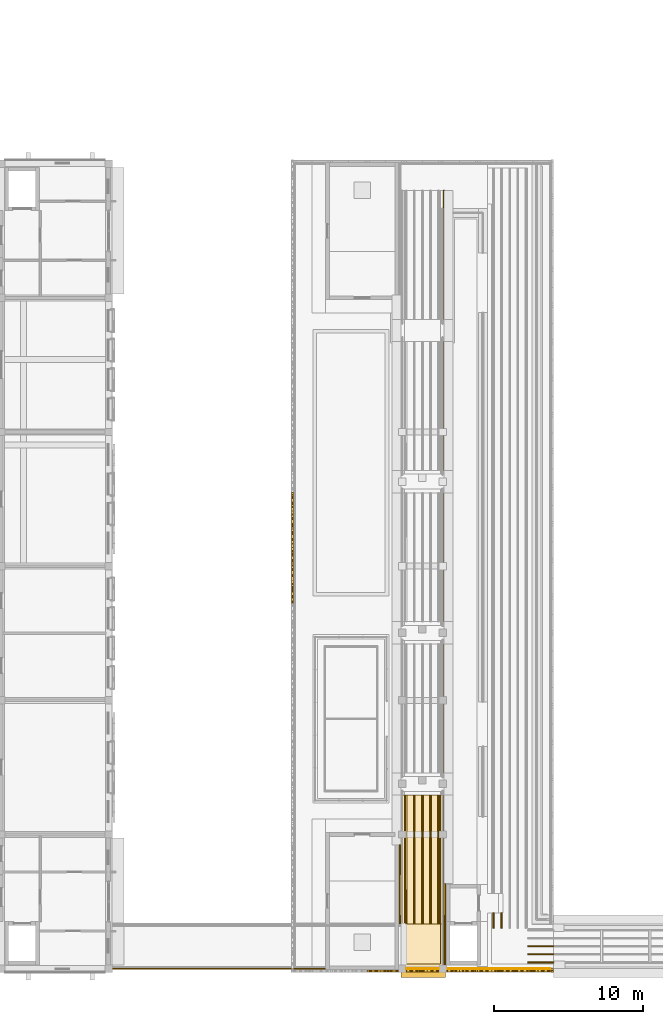
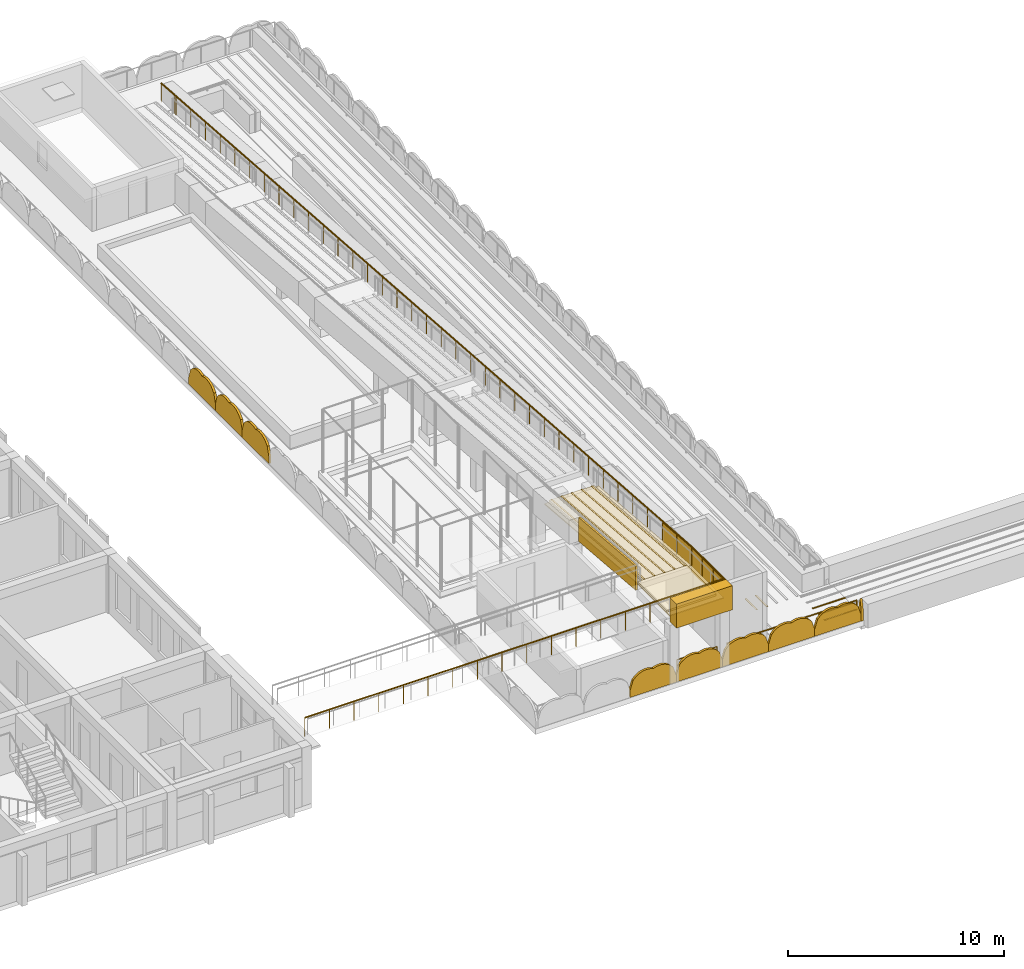
# One storey, part 45 of 50: 18 coverings, 9 shading devices, 3 railings.
"""IFC4 building model written with IfcOpenShell, lengths in metres."""

from ifc_helpers import new_model, si_unit, direction, frame, origin, origin_2d, place, context, subcontext, project, spatial, polyline, circle, outline, extrude, material, layer, layer_set, type_object, element, save


model = new_model("IFC4")

# Units and contexts
model_context = context("Model", 3, precision=1e-05, world=origin(), true_north=direction((0.0, 1.0)))
body_context = subcontext(model_context, "Body", "Model", "MODEL_VIEW")
ifc_project = project(units=[si_unit("LENGTHUNIT", "METRE"), si_unit("AREAUNIT", "SQUARE_METRE"), si_unit("VOLUMEUNIT", "CUBIC_METRE"), si_unit("PLANEANGLEUNIT", "RADIAN"), si_unit("MASSUNIT", "GRAM", prefix="KILO")], contexts=[model_context])

# Site, building, storey
site_placement = place(None, origin())
site = spatial("IfcSite", under=ifc_project, at=site_placement, CompositionType="ELEMENT")
building_placement = place(site_placement, origin())
building = spatial("IfcBuilding", under=site, at=building_placement, Name="Elbe Cascade School", CompositionType="ELEMENT")
storey_placement = place(building_placement, frame((0.0, 0.0, 15.300048828125)))
storey = spatial("IfcBuildingStorey", under=building, at=storey_placement, Name="L04", CompositionType="ELEMENT", Elevation=15.300048828125)

# Shading devices
ifc_material_1 = material(Name="Precast concrete C40/50", Category="concrete")
ifc_layer_1 = layer(ifc_material_1, 0.1201171875)
ifc_layer_set_1 = layer_set([ifc_layer_1], Name="Precast concrete C40/50")
shading_device_type = type_object("IfcShadingDeviceType", Name="Bars envelope Attic jali screen, pointed arch top, pierced precast concrete, 1200 high", PredefinedType="USERDEFINED", material=ifc_layer_set_1)
shading_device_1_placement = place(storey_placement, frame((98.3798828125, 30.522705078125, 0.39990234375), z_axis=(-1.0, 0.0, 0.0), x_axis=(0.0, 0.296914729778, 0.954903996871)))
element("IfcShadingDevice", 1, at=shading_device_1_placement, inside=storey, type_object=shading_device_type, Name="Attic jali screen SD1 B.L04.w11", ObjectType="JALI", PredefinedType="USERDEFINED", context=body_context, shape_type="SweptSolid", body=[
    extrude(outline(polyline([(0.0, 0.0), (0.5213118135497831, 2.7755575615628914e-17), (0.7310001580840946, 0.09715085393298623), (0.8774375509870718, 0.2137130818339548), (0.9849420905019789, 0.3423809640007578), (1.0621396183974305, 0.48047240936850977), (1.1125270975525943, 0.6269000837217165), (1.1363376588260814, 0.7815914981126785), (1.1317787442967022, 0.9453596949816039), (1.2283261334568831, 1.0774345576902884), (1.296431557866498, 1.218353072018325), (1.3379600643944363, 1.3675353263841168), (1.3526785221820867, 1.5250538097353636), (1.3370899683502817, 1.6919958562875592), (1.2825685611304065, 1.8710435571055892), (1.1649411801745964, 2.069968893608824), (0.7355453523079154, 2.365578822327823), (0.3536770059027736, 2.4843157186597797), (-0.3818683464051418, 0.11873689633195678), (0.0, 0.0)])), origin(), (0.0, 0.0, -1.0), 0.1201171875),
])
shading_device_2_placement = place(storey_placement, frame((98.3798828125, 33.0, 0.39990234375), z_axis=(-1.0, 0.0, 0.0), x_axis=(0.0, 0.296914729778, 0.954903996871)))
element("IfcShadingDevice", 2, at=shading_device_2_placement, inside=storey, type_object=shading_device_type, Name="Attic jali screen SD1 B.L04.w12", ObjectType="JALI", PredefinedType="USERDEFINED", context=body_context, shape_type="SweptSolid", body=[
    extrude(outline(polyline([(0.0, 0.0), (0.5213118135497831, 2.7755575615628914e-17), (0.7310001580840946, 0.09715085393298623), (0.8774375509870718, 0.2137130818339548), (0.9849420905019789, 0.3423809640007578), (1.0621396183974305, 0.48047240936850977), (1.1125270975525943, 0.6269000837217165), (1.1363376588260814, 0.7815914981126785), (1.1317062553490027, 0.9451265641229927), (1.2283261334568831, 1.0774345576902884), (1.296431557866498, 1.218353072018325), (1.3379600643944363, 1.3675353263841168), (1.3526785221820867, 1.5250538097353636), (1.3370899683502817, 1.6919958562875592), (1.2825685611304065, 1.8710435571055892), (1.1649411801745964, 2.069968893608824), (0.7355453523079154, 2.365578822327823), (0.3536770059027736, 2.4843157186597797), (-0.3818683464051418, 0.11873689633195678), (0.0, 0.0)])), origin(), (0.0, 0.0, -1.0), 0.1201171875),
])
shading_device_3_placement = place(storey_placement, frame((98.3798828125, 35.477294921875, 0.39990234375), z_axis=(-1.0, 0.0, 0.0), x_axis=(0.0, 0.296914729778, 0.954903996871)))
element("IfcShadingDevice", 3, at=shading_device_3_placement, inside=storey, type_object=shading_device_type, Name="Attic jali screen SD1 B.L04.w13", ObjectType="JALI", PredefinedType="USERDEFINED", context=body_context, shape_type="SweptSolid", body=[
    extrude(outline(polyline([(0.0, 0.0), (0.5213118135497831, 2.7755575615628914e-17), (0.730927669136395, 0.09691772307437502), (0.8774375509870718, 0.2137130818339548), (0.9849420905019789, 0.3423809640007578), (1.0621396183974305, 0.48047240936850977), (1.1125270975525943, 0.6269000837217165), (1.1363376588260814, 0.7815914981126785), (1.1317062553490027, 0.9451265641229927), (1.2282536445091836, 1.0772014268316772), (1.296431557866498, 1.218353072018325), (1.3379600643944363, 1.3675353263841168), (1.3526785221820867, 1.5250538097353636), (1.3370899683502817, 1.6919958562875592), (1.282641050078106, 1.8712766879642004), (1.1649411801745964, 2.069968893608824), (0.7355453523079154, 2.365578822327823), (0.3536770059027736, 2.4843157186597797), (-0.3818683464051418, 0.11873689633195678), (0.0, 0.0)])), origin(), (0.0, 0.0, -1.0), 0.1201171875),
])
shading_device_4_placement = place(storey_placement, frame((115.919921875, 5.75, 0.0), z_axis=(1.0, 0.0, 0.0), x_axis=(0.0, 1.0, 0.0)))
element("IfcShadingDevice", 4, at=shading_device_4_placement, inside=storey, type_object=shading_device_type, Name="Attic jali screen SD1 B.L04.e1", ObjectType="JALI", PredefinedType="USERDEFINED", context=body_context, shape_type="SweptSolid", body=[
    extrude(outline(polyline([(0.0, 0.0), (0.25, 0.0), (0.25, 0.39990234375), (0.234375, 0.685791015625), (0.21875, 0.803466796875), (0.203125, 0.8935546875), (0.1875, 0.968994140625), (0.171875, 1.03515625), (0.15625, 1.094970703125), (0.140625, 1.1494140625), (0.125, 1.199951171875), (0.109375, 1.1494140625), (0.09375, 1.094970703125), (0.078125, 1.03515625), (0.0625, 0.968994140625), (0.046875, 0.8935546875), (0.03125, 0.803466796875), (0.015625, 0.685791015625), (0.0, 0.39990234375), (0.0, 0.0)])), origin(), (0.0, 0.0, -1.0), 0.1201171875),
])
shading_device_5_placement = place(storey_placement, frame((103.44287109375, 5.780029296875, 0.0), z_axis=(0.0, -1.0, 0.0), x_axis=(1.0, 0.0, 0.0)))
element("IfcShadingDevice", 5, at=shading_device_5_placement, inside=storey, type_object=shading_device_type, Name="Attic jali screen SD1 B.L04.s3", ObjectType="JALI", PredefinedType="USERDEFINED", context=body_context, shape_type="SweptSolid", body=[
    extrude(outline(polyline([(0.0, 0.0), (2.471435546875, 0.0), (2.471435546875, 0.39990234375), (2.31689453125, 0.89697265625), (2.16259765625, 1.068115234375), (2.008056640625, 1.173095703125), (1.853515625, 1.237548828125), (1.69921875, 1.2705078125), (1.544677734375, 1.275390625), (1.39013671875, 1.252685546875), (1.23583984375, 1.199951171875), (1.081298828125, 1.252685546875), (0.9267578125, 1.275390625), (0.772216796875, 1.2705078125), (0.617919921875, 1.237548828125), (0.46337890625, 1.173095703125), (0.308837890625, 1.068115234375), (0.154541015625, 0.89697265625), (0.0, 0.39990234375), (0.0, 0.0)])), origin(), (0.0, 0.0, -1.0), 0.1201171875),
])
shading_device_6_placement = place(storey_placement, frame((105.914306640625, 5.780029296875, 0.0), z_axis=(0.0, -1.0, 0.0), x_axis=(1.0, 0.0, 0.0)))
element("IfcShadingDevice", 6, at=shading_device_6_placement, inside=storey, type_object=shading_device_type, Name="Attic jali screen SD1 B.L04.s4", ObjectType="JALI", PredefinedType="USERDEFINED", context=body_context, shape_type="SweptSolid", body=[
    extrude(outline(polyline([(0.0, 0.0), (2.471435546875, 0.0), (2.471435546875, 0.39990234375), (2.31689453125, 0.89697265625), (2.16259765625, 1.068115234375), (2.008056640625, 1.173095703125), (1.853515625, 1.237548828125), (1.698974609375, 1.2705078125), (1.544677734375, 1.275390625), (1.39013671875, 1.252685546875), (1.235595703125, 1.199951171875), (1.081298828125, 1.252685546875), (0.9267578125, 1.275390625), (0.772216796875, 1.2705078125), (0.61767578125, 1.237548828125), (0.46337890625, 1.173095703125), (0.308837890625, 1.068115234375), (0.154296875, 0.89697265625), (0.0, 0.39990234375), (0.0, 0.0)])), origin(), (0.0, 0.0, -1.0), 0.1201171875),
])
shading_device_7_placement = place(storey_placement, frame((108.3857421875, 5.780029296875, 0.0), z_axis=(0.0, -1.0, 0.0), x_axis=(1.0, 0.0, 0.0)))
element("IfcShadingDevice", 7, at=shading_device_7_placement, inside=storey, type_object=shading_device_type, Name="Attic jali screen SD1 B.L04.s5", ObjectType="JALI", PredefinedType="USERDEFINED", context=body_context, shape_type="SweptSolid", body=[
    extrude(outline(polyline([(0.0, 0.0), (2.471435546875, 0.0), (2.471435546875, 0.39990234375), (2.31689453125, 0.89697265625), (2.162353515625, 1.068115234375), (2.008056640625, 1.173095703125), (1.853515625, 1.237548828125), (1.698974609375, 1.2705078125), (1.544677734375, 1.275390625), (1.39013671875, 1.252685546875), (1.235595703125, 1.199951171875), (1.081298828125, 1.252685546875), (0.9267578125, 1.275390625), (0.772216796875, 1.2705078125), (0.617919921875, 1.237548828125), (0.46337890625, 1.173095703125), (0.308837890625, 1.068115234375), (0.154541015625, 0.89697265625), (0.0, 0.39990234375), (0.0, 0.0)])), origin(), (0.0, 0.0, -1.0), 0.1201171875),
])
shading_device_8_placement = place(storey_placement, frame((110.857177734375, 5.780029296875, 0.0), z_axis=(0.0, -1.0, 0.0), x_axis=(1.0, 0.0, 0.0)))
element("IfcShadingDevice", 8, at=shading_device_8_placement, inside=storey, type_object=shading_device_type, Name="Attic jali screen SD1 B.L04.s6", ObjectType="JALI", PredefinedType="USERDEFINED", context=body_context, shape_type="SweptSolid", body=[
    extrude(outline(polyline([(0.0, 0.0), (2.471435546875, 0.0), (2.471435546875, 0.39990234375), (2.31689453125, 0.89697265625), (2.162353515625, 1.068115234375), (2.008056640625, 1.173095703125), (1.853515625, 1.237548828125), (1.698974609375, 1.2705078125), (1.544677734375, 1.275390625), (1.39013671875, 1.252685546875), (1.23583984375, 1.199951171875), (1.081298828125, 1.252685546875), (0.9267578125, 1.275390625), (0.772216796875, 1.2705078125), (0.617919921875, 1.237548828125), (0.46337890625, 1.173095703125), (0.308837890625, 1.068115234375), (0.154541015625, 0.89697265625), (0.0, 0.39990234375), (0.0, 0.0)])), origin(), (0.0, 0.0, -1.0), 0.1201171875),
])
shading_device_9_placement = place(storey_placement, frame((113.32861328125, 5.780029296875, 0.0), z_axis=(0.0, -1.0, 0.0), x_axis=(1.0, 0.0, 0.0)))
element("IfcShadingDevice", 9, at=shading_device_9_placement, inside=storey, type_object=shading_device_type, Name="Attic jali screen SD1 B.L04.s7", ObjectType="JALI", PredefinedType="USERDEFINED", context=body_context, shape_type="SweptSolid", body=[
    extrude(outline(polyline([(0.0, 0.0), (2.471435546875, 0.0), (2.471435546875, 0.39990234375), (2.31689453125, 0.89697265625), (2.16259765625, 1.068115234375), (2.008056640625, 1.173095703125), (1.853515625, 1.237548828125), (1.698974609375, 1.2705078125), (1.544677734375, 1.275390625), (1.39013671875, 1.252685546875), (1.235595703125, 1.199951171875), (1.081298828125, 1.252685546875), (0.9267578125, 1.275390625), (0.772216796875, 1.2705078125), (0.61767578125, 1.237548828125), (0.46337890625, 1.173095703125), (0.308837890625, 1.068115234375), (0.154296875, 0.89697265625), (0.0, 0.39990234375), (0.0, 0.0)])), origin(), (0.0, 0.0, -1.0), 0.1201171875),
])

# Railings
ifc_material_2 = material(Name="Steel S355J2H, hot-dip galvanised", Category="steel")
railing_type_1 = type_object("IfcRailingType", Name="Bars envelope Roof edge guard 1100, galvanised steel", PredefinedType="GUARDRAIL", material=ifc_material_2)
railing_1_placement = place(storey_placement, frame((106.071044921875, 6.0, 0.0)))
element("IfcRailing", 10, at=railing_1_placement, inside=storey, type_object=railing_type_1, Name="Roof edge guard RL10 B.L04.1", PredefinedType="GUARDRAIL", context=body_context, shape_type="SweptSolid", body=[
    extrude(circle(Radius=0.02392578125, at=origin_2d()), frame((0.0, 0.0, 1.076171875), z_axis=(1.0, 0.0, 0.0), x_axis=(0.0, 1.0, 0.0)), (0.0, 0.0, 1.0), 2.157958984375),
    extrude(circle(Radius=0.02099609375, at=origin_2d()), origin(), (0.0, 0.0, 1.0), 1.052001953125),
    extrude(circle(Radius=0.02099609375, at=origin_2d()), frame((1.0791015625, 0.0, 0.0)), (0.0, 0.0, 1.0), 1.052001953125),
    extrude(circle(Radius=0.02099609375, at=origin_2d()), frame((2.157958984375, 0.0, 0.0)), (0.0, 0.0, 1.0), 1.052001953125),
])
railing_2_placement = place(storey_placement, frame((108.77099609375, 6.0, 0.0)))
element("IfcRailing", 11, at=railing_2_placement, inside=storey, type_object=railing_type_1, Name="Roof edge guard RL10 B.L04.2", PredefinedType="GUARDRAIL", context=body_context, shape_type="SweptSolid", body=[
    extrude(circle(Radius=0.02392578125, at=origin_2d()), frame((0.0, 0.0, 1.076171875), z_axis=(1.0, 0.0, 0.0), x_axis=(0.0, 1.0, 0.0)), (0.0, 0.0, 1.0), 6.928955078125),
    extrude(circle(Radius=0.02099609375, at=origin_2d()), origin(), (0.0, 0.0, 1.0), 1.052001953125),
    extrude(circle(Radius=0.02099609375, at=origin_2d()), frame((1.3857421875, 0.0, 0.0)), (0.0, 0.0, 1.0), 1.052001953125),
    extrude(circle(Radius=0.02099609375, at=origin_2d()), frame((2.771484375, 0.0, 0.0)), (0.0, 0.0, 1.0), 1.052001953125),
    extrude(circle(Radius=0.02099609375, at=origin_2d()), frame((4.157470703125, 0.0, 0.0)), (0.0, 0.0, 1.0), 1.052001953125),
    extrude(circle(Radius=0.02099609375, at=origin_2d()), frame((5.543212890625, 0.0, 0.0)), (0.0, 0.0, 1.0), 1.052001953125),
    extrude(circle(Radius=0.02099609375, at=origin_2d()), frame((6.928955078125, 0.0, 0.0)), (0.0, 0.0, 1.0), 1.052001953125),
])

# Coverings
ifc_material_3 = material(Name="Running track surfacing - white lines", Category="surfacing")
ifc_layer_2 = layer(ifc_material_3, 0.02001953125)
ifc_layer_set_2 = layer_set([ifc_layer_2], Name="Running track surfacing - white lines")
covering_type_1 = type_object("IfcCoveringType", Name="Lane marking 80", PredefinedType="FLOORING", material=ifc_layer_set_2)
covering_1_placement = place(storey_placement, frame((0.0, 0.0, 0.219970703125)))
element("IfcCovering", 12, at=covering_1_placement, inside=storey, type_object=covering_type_1, Name="Lane marking B roof strip 1", PredefinedType="FLOORING", context=body_context, shape_type="SweptSolid", body=[
    extrude(outline(polyline([(111.9599609375, 8.699951171875), (111.8798828125, 8.699951171875), (111.8798828125, 9.75), (111.9599609375, 9.75), (111.9599609375, 8.699951171875)])), origin(), (0.0, 0.0, 1.0), 0.02001953125),
])
covering_2_placement = place(storey_placement, frame((0.0, 0.0, 0.219970703125)))
element("IfcCovering", 13, at=covering_2_placement, inside=storey, type_object=covering_type_1, Name="Lane marking B roof leg 1", PredefinedType="FLOORING", context=body_context, shape_type="SweptSolid", body=[
    extrude(outline(polyline([(114.199951171875, 6.3798828125), (115.949951171875, 6.3798828125), (115.949951171875, 6.4599609375), (114.199951171875, 6.4599609375), (114.199951171875, 6.3798828125)])), origin(), (0.0, 0.0, 1.0), 0.02001953125),
])
covering_3_placement = place(storey_placement, frame((0.0, 0.0, 0.219970703125)))
element("IfcCovering", 14, at=covering_3_placement, inside=storey, type_object=covering_type_1, Name="Lane marking B roof strip 2", PredefinedType="FLOORING", context=body_context, shape_type="SweptSolid", body=[
    extrude(outline(polyline([(112.5, 8.699951171875), (112.419921875, 8.699951171875), (112.419921875, 9.75), (112.5, 9.75), (112.5, 8.699951171875)])), origin(), (0.0, 0.0, 1.0), 0.02001953125),
])
covering_4_placement = place(storey_placement, frame((0.0, 0.0, 0.219970703125)))
element("IfcCovering", 15, at=covering_4_placement, inside=storey, type_object=covering_type_1, Name="Lane marking B roof leg 2", PredefinedType="FLOORING", context=body_context, shape_type="SweptSolid", body=[
    extrude(outline(polyline([(114.199951171875, 6.919921875), (115.949951171875, 6.919921875), (115.949951171875, 7.0), (114.199951171875, 7.0), (114.199951171875, 6.919921875)])), origin(), (0.0, 0.0, 1.0), 0.02001953125),
])
covering_5_placement = place(storey_placement, frame((0.0, 0.0, 0.219970703125)))
element("IfcCovering", 16, at=covering_5_placement, inside=storey, type_object=covering_type_1, Name="Lane marking B roof leg 3", PredefinedType="FLOORING", context=body_context, shape_type="SweptSolid", body=[
    extrude(outline(polyline([(114.199951171875, 7.4599609375), (115.949951171875, 7.4599609375), (115.949951171875, 7.5400390625), (114.199951171875, 7.5400390625), (114.199951171875, 7.4599609375)])), origin(), (0.0, 0.0, 1.0), 0.02001953125),
])
covering_6_placement = place(storey_placement, frame((106.030029296875, 9.0, 3.83984375), z_axis=(0.0, 0.08304314939, 0.996545952447), x_axis=(0.0, 0.996545952447, -0.08304314939)))
element("IfcCovering", 17, at=covering_6_placement, inside=storey, type_object=covering_type_1, Name="Lane marking B ramp flight 1 line 1", PredefinedType="FLOORING", context=body_context, shape_type="SweptSolid", body=[
    extrude(outline(polyline([(0.0, 0.0), (8.669838612967244, 0.0), (8.669838612967244, -0.08007812500000001), (0.0, -0.08007812500000001), (0.0, 0.0)])), origin(), (0.08304314939, 0.0, -0.996545952447), 0.02001953125),
])
for number, where, z_axis, x_axis, name in (
    (18, (106.570068359375, 9.0, 3.83984375), (0.0, 0.08304314939, 0.996545952447), (0.0, 0.996545952447, -0.08304314939), "Lane marking B ramp flight 1 line 2"),
    (19, (107.110107421875, 9.0, 3.83984375), (0.0, 0.08304314939, 0.996545952447), (0.0, 0.996545952447, -0.08304314939), "Lane marking B ramp flight 1 line 3"),
):
    element("IfcCovering", number, at=place(storey_placement, frame(where, z_axis=z_axis, x_axis=x_axis)), inside=storey, type_object=covering_type_1, Name=name, PredefinedType="FLOORING", context=body_context, shape_type="SweptSolid", body=[
        extrude(outline(polyline([(0.0, 0.0), (8.669838612967244, 0.0), (8.669838612967244, -0.079833984375), (0.0, -0.079833984375), (0.0, 0.0)])), origin(), (0.08304314939, 0.0, -0.996545952447), 0.02001953125),
    ])
for number, where, z_axis, x_axis, name in (
    (20, (107.64990234375, 9.0, 3.83984375), (0.0, 0.08304314939, 0.996545952447), (0.0, 0.996545952447, -0.08304314939), "Lane marking B ramp flight 1 line 4"),
    (21, (108.18994140625, 9.0, 3.83984375), (0.0, 0.08304314939, 0.996545952447), (0.0, 0.996545952447, -0.08304314939), "Lane marking B ramp flight 1 line 5"),
):
    element("IfcCovering", number, at=place(storey_placement, frame(where, z_axis=z_axis, x_axis=x_axis)), inside=storey, type_object=covering_type_1, Name=name, PredefinedType="FLOORING", context=body_context, shape_type="SweptSolid", body=[
        extrude(outline(polyline([(0.0, 0.0), (8.669838612967244, 0.0), (8.669838612967244, -0.08007812500000001), (0.0, -0.08007812500000001), (0.0, 0.0)])), origin(), (0.08304314939, 0.0, -0.996545952447), 0.02001953125),
    ])
ifc_material_4 = material(Name="Concrete C30/37 precast parapet", Category="concrete")
ifc_layer_3 = layer(ifc_material_4, 0.60009765625)
ifc_layer_set_3 = layer_set([ifc_layer_3], Name="Concrete C30/37 precast parapet")
covering_type_2 = type_object("IfcCoveringType", Name="Ramp and bridge parapet 600", PredefinedType="CLADDING", material=ifc_layer_set_3)
covering_7_placement = place(storey_placement, frame((0.0, 0.0, 3.35986328125)))
element("IfcCovering", 22, at=covering_7_placement, inside=storey, type_object=covering_type_2, Name="Ramp B landing 1 parapet south", PredefinedType="CLADDING", context=body_context, shape_type="SweptSolid", body=[
    extrude(outline(polyline([(105.699951171875, 5.39990234375), (108.699951171875, 5.39990234375), (108.699951171875, 6.0), (105.699951171875, 6.0), (105.699951171875, 5.39990234375)])), origin(), (0.0, 0.0, 1.0), 1.360107421875),
])
ifc_material_5 = material(Name="Concrete C30/37 precast parapet", Category="concrete")
ifc_layer_4 = layer(ifc_material_5, 0.10009765625)
ifc_layer_set_4 = layer_set([ifc_layer_4], Name="Concrete C30/37 precast parapet")
covering_type_3 = type_object("IfcCoveringType", Name="Ramp parapet beside a wall 100", PredefinedType="CLADDING", material=ifc_layer_set_4)
covering_8_placement = place(storey_placement, frame((105.60009765625, 9.0, 4.719970703125), z_axis=(0.0, 0.08304168084, 0.996546074822), x_axis=(0.0, 0.996546074822, -0.08304168084)))
element("IfcCovering", 23, at=covering_8_placement, inside=storey, type_object=covering_type_3, Name="Ramp B flight 1 parapet w1", PredefinedType="CLADDING", context=body_context, shape_type="SweptSolid", body=[
    extrude(outline(polyline([(0.0, 0.0), (5.318418246814405, 0.0), (5.318418246814405, -0.09985351562500003), (0.0, -0.09985351562500003), (0.0, 0.0)])), origin(), (0.08304168084, 0.0, -0.996546074822), 1.360107421875),
])
covering_9_placement = place(storey_placement, frame((0.0, 0.0, 3.35986328125)))
element("IfcCovering", 24, at=covering_9_placement, inside=storey, type_object=covering_type_3, Name="Ramp B landing 1 parapet e1", PredefinedType="CLADDING", context=body_context, shape_type="SweptSolid", body=[
    extrude(outline(polyline([(108.60009765625, 6.0), (108.699951171875, 6.0), (108.699951171875, 9.0), (108.60009765625, 9.0), (108.60009765625, 6.0)])), origin(), (0.0, 0.0, 1.0), 1.360107421875),
])
covering_10_placement = place(storey_placement, frame((108.60009765625, 9.0, 4.719970703125), z_axis=(0.0, 0.083082767297, 0.996542650256), x_axis=(0.0, 0.996542650256, -0.083082767297)))
element("IfcCovering", 25, at=covering_10_placement, inside=storey, type_object=covering_type_3, Name="Ramp B flight 1 parapet e1", PredefinedType="CLADDING", context=body_context, shape_type="SweptSolid", body=[
    extrude(outline(polyline([(0.0, 0.0), (2.7093182325740974, 0.0), (2.7093182325740974, -0.099853515625), (0.0, -0.099853515625), (0.0, 0.0)])), origin(), (0.083082767297, 0.0, -0.996542650256), 1.360107421875),
])
ifc_material_6 = material(Name="Running track surfacing - red", Category="surfacing")
ifc_layer_5 = layer(ifc_material_6, 0.10009765625)
ifc_layer_set_5 = layer_set([ifc_layer_5], Name="Running track surfacing - red")
covering_type_4 = type_object("IfcCoveringType", Name="Running track band 100", PredefinedType="USERDEFINED", material=ifc_layer_set_5)
covering_11_placement = place(storey_placement, frame((0.0, 0.0, 3.719970703125)))
element("IfcCovering", 26, at=covering_11_placement, inside=storey, type_object=covering_type_4, Name="Running track band B ramp landing 1", ObjectType="RUNNING TRACK", PredefinedType="USERDEFINED", context=body_context, shape_type="SweptSolid", body=[
    extrude(outline(polyline([(108.35009765625, 6.300048828125), (105.949951171875, 6.300048828125), (105.699951171875, 6.300048828125), (105.699951171875, 9.0), (105.949951171875, 9.0), (108.35009765625, 9.0), (108.35009765625, 6.300048828125)])), origin(), (0.0, 0.0, 1.0), 0.10009765625),
])
covering_12_placement = place(storey_placement, frame((105.949951171875, 9.0, 3.820068359375), z_axis=(0.0, 0.083071114863, 0.996543621662), x_axis=(0.0, 0.996543621662, -0.083071114863)))
element("IfcCovering", 27, at=covering_12_placement, inside=storey, type_object=covering_type_4, Name="Running track band B ramp flight 1", ObjectType="RUNNING TRACK", PredefinedType="USERDEFINED", context=body_context, shape_type="SweptSolid", body=[
    extrude(outline(polyline([(0.0, 0.0), (8.669858890587395, 0.0), (8.669858890587395, -2.4001464843749996), (0.0, -2.4001464843749996), (0.0, 0.0)])), origin(), (0.083071114863, 0.0, -0.996543621662), 0.10009765625),
])
ifc_material_7 = material(Name="Running track surfacing - red", Category="surfacing")
ifc_layer_6 = layer(ifc_material_7, 0.06005859375)
ifc_layer_set_6 = layer_set([ifc_layer_6], Name="Running track surfacing - red")
covering_type_5 = type_object("IfcCoveringType", Name="Running track surfacing 60", PredefinedType="USERDEFINED", material=ifc_layer_set_6)
covering_13_placement = place(storey_placement, frame((0.0, 0.0, 3.659912109375)))
element("IfcCovering", 28, at=covering_13_placement, inside=storey, type_object=covering_type_5, Name="Running track B ramp landing 1", ObjectType="RUNNING TRACK", PredefinedType="USERDEFINED", context=body_context, shape_type="SweptSolid", body=[
    extrude(outline(polyline([(108.60009765625, 6.0), (108.60009765625, 9.0), (105.699951171875, 9.0), (105.699951171875, 6.0), (108.60009765625, 6.0)])), origin(), (0.0, 0.0, 1.0), 0.06005859375),
])
covering_14_placement = place(storey_placement, frame((105.699951171875, 9.0, 3.719970703125), z_axis=(0.0, 0.08304314939, 0.996545952447), x_axis=(0.0, 0.996545952447, -0.08304314939)))
element("IfcCovering", 29, at=covering_14_placement, inside=storey, type_object=covering_type_5, Name="Running track B ramp flight 1", ObjectType="RUNNING TRACK", PredefinedType="USERDEFINED", context=body_context, shape_type="SweptSolid", body=[
    extrude(outline(polyline([(0.0, 0.0), (8.669838612967244, 0.0), (8.669838612967244, -2.900146484375), (0.0, -2.900146484375), (0.0, 0.0)])), origin(), (0.08304314939, 0.0, -0.996545952447), 0.06005859375),
])

# Railing
ifc_material_8 = material(Name="Steel S355J2H", Category="steel")
railing_type_2 = type_object("IfcRailingType", Name="Track guard 1100", PredefinedType="GUARDRAIL", material=ifc_material_8)
railing_3_placement = place(storey_placement, frame((86.14208984375, 6.0, 3.719970703125)))
element("IfcRailing", 30, at=railing_3_placement, inside=storey, type_object=railing_type_2, Name="Track guard RL4 A-B south and east", PredefinedType="GUARDRAIL", context=body_context, shape_type="SweptSolid", body=[
    extrude(circle(Radius=0.0400390625, at=origin_2d()), frame((0.0, 0.0, 1.06005859375), z_axis=(1.0, 0.0, 0.0), x_axis=(0.0, 1.0, 0.0)), (0.0, 0.0, 1.0), 22.4580078125),
    extrude(circle(Radius=0.0400390625, at=origin_2d()), frame((22.4580078125, 0.0, 1.06005859375), z_axis=(0.0, 1.0, 0.0), x_axis=(-1.0, 0.0, 0.0)), (0.0, 0.0, 1.0), 3.0),
    extrude(circle(Radius=0.0400390625, at=origin_2d()), frame((22.4580078125, 3.0, 1.06005859375), z_axis=(0.0, 0.997333574242, -0.0729776794), x_axis=(-1.0, 0.0, 0.0)), (0.0, 0.0, 1.0), 49.33154296875),
    extrude(circle(Radius=0.0400390625, at=origin_2d()), frame((22.4580078125, 52.199951171875, -2.5400390625), z_axis=(0.0, -0.996538763176, 0.083129378007), x_axis=(1.0, 0.0, 0.0)), (0.0, 0.0, 1.0), 1.2041015625),
    extrude(circle(Radius=0.02099609375, at=origin_2d()), origin(), (0.0, 0.0, 1.0), 1.02001953125),
    extrude(circle(Radius=0.02099609375, at=origin_2d()), frame((1.321044921875, 0.0, 0.0)), (0.0, 0.0, 1.0), 1.02001953125),
    extrude(circle(Radius=0.02099609375, at=origin_2d()), frame((2.64208984375, 0.0, 0.0)), (0.0, 0.0, 1.0), 1.02001953125),
    extrude(circle(Radius=0.02099609375, at=origin_2d()), frame((3.963134765625, 0.0, 0.0)), (0.0, 0.0, 1.0), 1.02001953125),
    extrude(circle(Radius=0.02099609375, at=origin_2d()), frame((5.2841796875, 0.0, 0.0)), (0.0, 0.0, 1.0), 1.02001953125),
    extrude(circle(Radius=0.02099609375, at=origin_2d()), frame((6.605224609375, 0.0, 0.0)), (0.0, 0.0, 1.0), 1.02001953125),
    extrude(circle(Radius=0.02099609375, at=origin_2d()), frame((7.92626953125, 0.0, 0.0)), (0.0, 0.0, 1.0), 1.02001953125),
    extrude(circle(Radius=0.02099609375, at=origin_2d()), frame((9.247314453125, 0.0, 0.0)), (0.0, 0.0, 1.0), 1.02001953125),
    extrude(circle(Radius=0.02099609375, at=origin_2d()), frame((10.568359375, 0.0, 0.0)), (0.0, 0.0, 1.0), 1.02001953125),
    extrude(circle(Radius=0.02099609375, at=origin_2d()), frame((11.8896484375, 0.0, 0.0)), (0.0, 0.0, 1.0), 1.02001953125),
    extrude(circle(Radius=0.02099609375, at=origin_2d()), frame((13.210693359375, 0.0, 0.0)), (0.0, 0.0, 1.0), 1.02001953125),
    extrude(circle(Radius=0.02099609375, at=origin_2d()), frame((14.53173828125, 0.0, 0.0)), (0.0, 0.0, 1.0), 1.02001953125),
    extrude(circle(Radius=0.02099609375, at=origin_2d()), frame((15.852783203125, 0.0, 0.0)), (0.0, 0.0, 1.0), 1.02001953125),
    extrude(circle(Radius=0.02099609375, at=origin_2d()), frame((17.173828125, 0.0, 0.0)), (0.0, 0.0, 1.0), 1.02001953125),
    extrude(circle(Radius=0.02099609375, at=origin_2d()), frame((18.494873046875, 0.0, 0.0)), (0.0, 0.0, 1.0), 1.02001953125),
    extrude(circle(Radius=0.02099609375, at=origin_2d()), frame((19.81591796875, 0.0, 0.0)), (0.0, 0.0, 1.0), 1.02001953125),
    extrude(circle(Radius=0.02099609375, at=origin_2d()), frame((21.136962890625, 0.0, 0.0)), (0.0, 0.0, 1.0), 1.02001953125),
    extrude(circle(Radius=0.02099609375, at=origin_2d()), frame((22.4580078125, 0.0, 0.0)), (0.0, 0.0, 1.0), 1.02001953125),
    extrude(circle(Radius=0.02099609375, at=origin_2d()), frame((22.4580078125, 1.0, 0.0)), (0.0, 0.0, 1.0), 1.02001953125),
    extrude(circle(Radius=0.02099609375, at=origin_2d()), frame((22.4580078125, 2.0, 0.0)), (0.0, 0.0, 1.0), 1.02001953125),
    extrude(circle(Radius=0.02099609375, at=origin_2d()), frame((22.4580078125, 3.0, 0.0)), (0.0, 0.0, 1.0), 1.02001953125),
    extrude(circle(Radius=0.02099609375, at=origin_2d()), frame((22.4580078125, 4.36669921875, -0.10009765625)), (0.0, 0.0, 1.0), 1.02001953125),
    extrude(circle(Radius=0.02099609375, at=origin_2d()), frame((22.4580078125, 5.7333984375, -0.199951171875)), (0.0, 0.0, 1.0), 1.02001953125),
    extrude(circle(Radius=0.02099609375, at=origin_2d()), frame((22.4580078125, 7.10009765625, -0.300048828125)), (0.0, 0.0, 1.0), 1.02001953125),
    extrude(circle(Radius=0.02099609375, at=origin_2d()), frame((22.4580078125, 8.466552734375, -0.39990234375)), (0.0, 0.0, 1.0), 1.02001953125),
    extrude(circle(Radius=0.02099609375, at=origin_2d()), frame((22.4580078125, 9.833251953125, -0.5)), (0.0, 0.0, 1.0), 1.02001953125),
    extrude(circle(Radius=0.02099609375, at=origin_2d()), frame((22.4580078125, 11.199951171875, -0.60009765625)), (0.0, 0.0, 1.0), 1.02001953125),
    extrude(circle(Radius=0.02099609375, at=origin_2d()), frame((22.4580078125, 12.566650390625, -0.699951171875)), (0.0, 0.0, 1.0), 1.02001953125),
    extrude(circle(Radius=0.02099609375, at=origin_2d()), frame((22.4580078125, 13.933349609375, -0.800048828125)), (0.0, 0.0, 1.0), 1.02001953125),
    extrude(circle(Radius=0.02099609375, at=origin_2d()), frame((22.4580078125, 15.300048828125, -0.89990234375)), (0.0, 0.0, 1.0), 1.02001953125),
    extrude(circle(Radius=0.02099609375, at=origin_2d()), frame((22.4580078125, 16.666748046875, -1.0)), (0.0, 0.0, 1.0), 1.02001953125),
    extrude(circle(Radius=0.02099609375, at=origin_2d()), frame((22.4580078125, 18.033203125, -1.10009765625)), (0.0, 0.0, 1.0), 1.02001953125),
    extrude(circle(Radius=0.02099609375, at=origin_2d()), frame((22.4580078125, 19.39990234375, -1.199951171875)), (0.0, 0.0, 1.0), 1.02001953125),
    extrude(circle(Radius=0.02099609375, at=origin_2d()), frame((22.4580078125, 20.7666015625, -1.300048828125)), (0.0, 0.0, 1.0), 1.02001953125),
    extrude(circle(Radius=0.02099609375, at=origin_2d()), frame((22.4580078125, 22.13330078125, -1.400146484375)), (0.0, 0.0, 1.0), 1.02001953125),
    extrude(circle(Radius=0.02099609375, at=origin_2d()), frame((22.4580078125, 23.5, -1.5)), (0.0, 0.0, 1.0), 1.02001953125),
    extrude(circle(Radius=0.02099609375, at=origin_2d()), frame((22.4580078125, 24.86669921875, -1.60009765625)), (0.0, 0.0, 1.0), 1.02001953125),
    extrude(circle(Radius=0.02099609375, at=origin_2d()), frame((22.4580078125, 26.2333984375, -1.699951171875)), (0.0, 0.0, 1.0), 1.02001953125),
    extrude(circle(Radius=0.02099609375, at=origin_2d()), frame((22.4580078125, 27.60009765625, -1.800048828125)), (0.0, 0.0, 1.0), 1.02001953125),
    extrude(circle(Radius=0.02099609375, at=origin_2d()), frame((22.4580078125, 28.966552734375, -1.900146484375)), (0.0, 0.0, 1.0), 1.02001953125),
    extrude(circle(Radius=0.02099609375, at=origin_2d()), frame((22.4580078125, 30.333251953125, -2.0)), (0.0, 0.0, 1.0), 1.02001953125),
    extrude(circle(Radius=0.02099609375, at=origin_2d()), frame((22.4580078125, 31.699951171875, -2.10009765625)), (0.0, 0.0, 1.0), 1.02001953125),
    extrude(circle(Radius=0.02099609375, at=origin_2d()), frame((22.4580078125, 33.066650390625, -2.199951171875)), (0.0, 0.0, 1.0), 1.02001953125),
    extrude(circle(Radius=0.02099609375, at=origin_2d()), frame((22.4580078125, 34.433349609375, -2.300048828125)), (0.0, 0.0, 1.0), 1.02001953125),
    extrude(circle(Radius=0.02099609375, at=origin_2d()), frame((22.4580078125, 35.800048828125, -2.400146484375)), (0.0, 0.0, 1.0), 1.02001953125),
    extrude(circle(Radius=0.02099609375, at=origin_2d()), frame((22.4580078125, 37.166748046875, -2.5)), (0.0, 0.0, 1.0), 1.02001953125),
    extrude(circle(Radius=0.02099609375, at=origin_2d()), frame((22.4580078125, 38.533203125, -2.60009765625)), (0.0, 0.0, 1.0), 1.02001953125),
    extrude(circle(Radius=0.02099609375, at=origin_2d()), frame((22.4580078125, 39.89990234375, -2.7001953125)), (0.0, 0.0, 1.0), 1.02001953125),
    extrude(circle(Radius=0.02099609375, at=origin_2d()), frame((22.4580078125, 41.2666015625, -2.800048828125)), (0.0, 0.0, 1.0), 1.02001953125),
    extrude(circle(Radius=0.02099609375, at=origin_2d()), frame((22.4580078125, 42.63330078125, -2.900146484375)), (0.0, 0.0, 1.0), 1.02001953125),
    extrude(circle(Radius=0.02099609375, at=origin_2d()), frame((22.4580078125, 44.0, -3.0)), (0.0, 0.0, 1.0), 1.02001953125),
    extrude(circle(Radius=0.02099609375, at=origin_2d()), frame((22.4580078125, 45.36669921875, -3.10009765625)), (0.0, 0.0, 1.0), 1.02001953125),
    extrude(circle(Radius=0.02099609375, at=origin_2d()), frame((22.4580078125, 46.7333984375, -3.2001953125)), (0.0, 0.0, 1.0), 1.02001953125),
    extrude(circle(Radius=0.02099609375, at=origin_2d()), frame((22.4580078125, 48.099853515625, -3.300048828125)), (0.0, 0.0, 1.0), 1.02001953125),
    extrude(circle(Radius=0.02099609375, at=origin_2d()), frame((22.4580078125, 49.466552734375, -3.400146484375)), (0.0, 0.0, 1.0), 1.02001953125),
    extrude(circle(Radius=0.02099609375, at=origin_2d()), frame((22.4580078125, 50.833251953125, -3.5)), (0.0, 0.0, 1.0), 1.02001953125),
    extrude(circle(Radius=0.02099609375, at=origin_2d()), frame((22.4580078125, 52.199951171875, -3.60009765625)), (0.0, 0.0, 1.0), 1.02001953125),
    extrude(circle(Radius=0.02099609375, at=origin_2d()), frame((22.4580078125, 51.0, -3.5)), (0.0, 0.0, 1.0), 1.02001953125),
])

save(model, "model.ifc")
